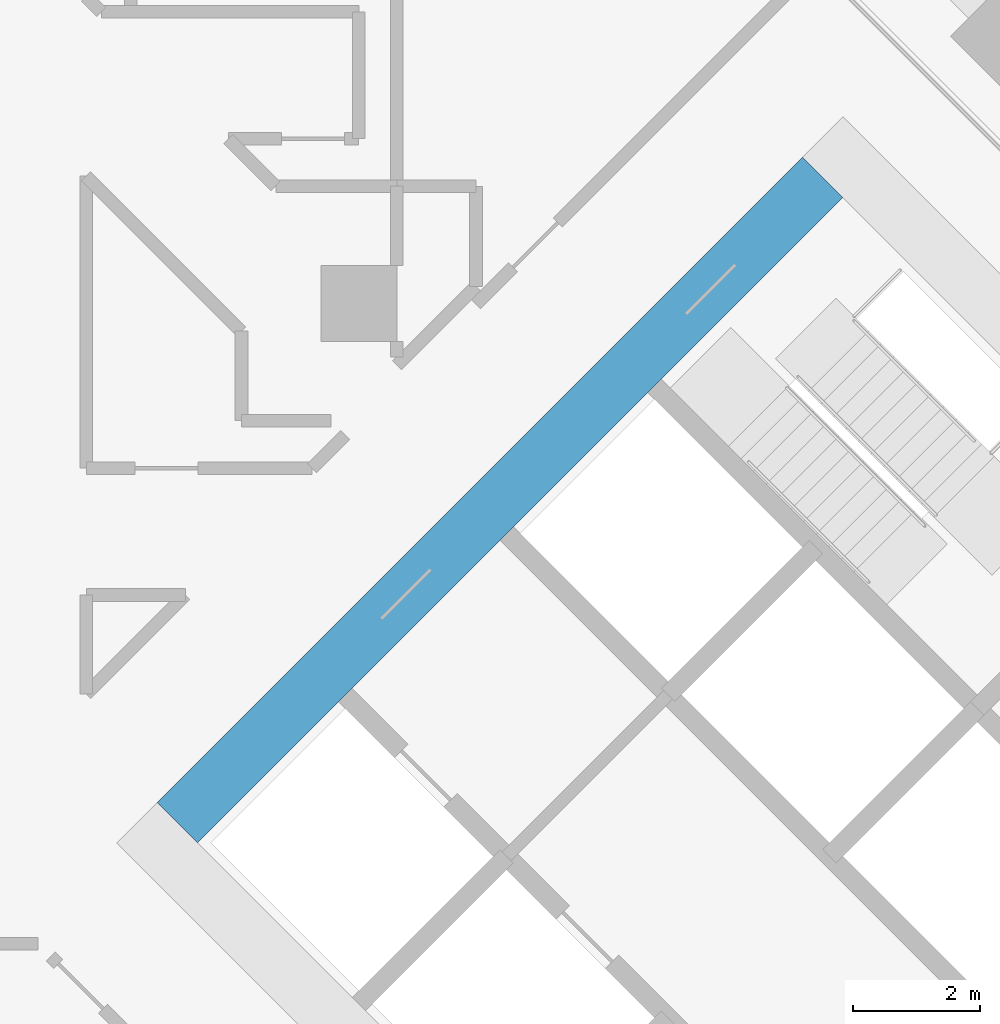
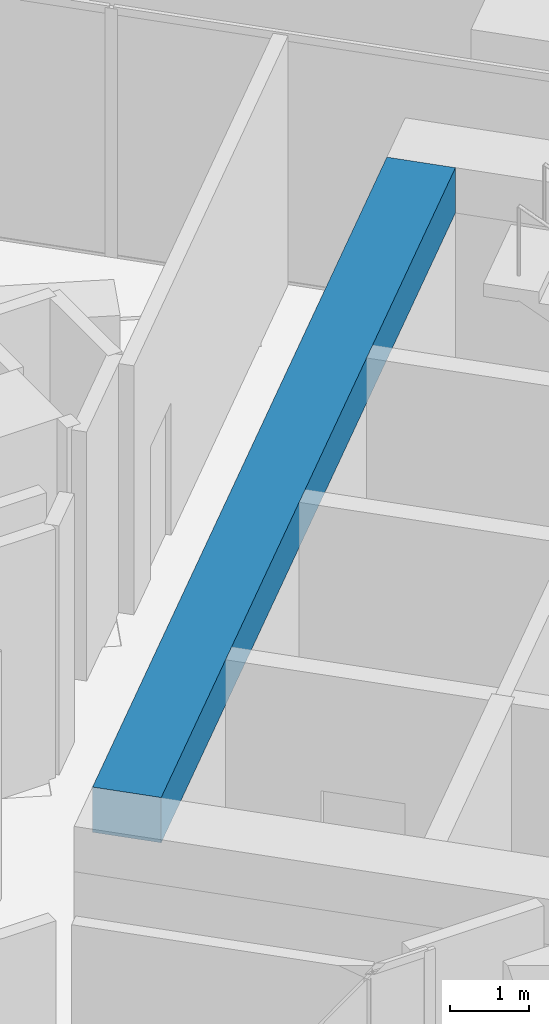
# One storey, part 7 of 24: 1 beam.
"""IFC4 building model written with IfcOpenShell, lengths in metres."""

import ifcopenshell
import ifcopenshell.guid

model = None  # the IFC model being written
_history = None  # IfcOwnerHistory: only IFC2X3 demands one
_inside = {}  # id of a spatial element -> (the spatial element, [elements in it])
_under = {}  # id of a project, library or spatial element -> (it, [spatial elements below it])
_declared = {}  # id of a project -> (the project, [libraries it declares])
_typed = {}  # id of a type object -> (the type object, [elements of that type])
_made_of = {}  # id of a material, layer set ... -> (it, [elements and type objects made of it])


def new_model(schema):
    """Start an empty IFC model of exactly this schema.

    Asked for "IFC4X3", IfcOpenShell would pick the latest addendum, in which some entities
    have other attributes; the version numbers below select the first issue.
    IFC2X3 requires an IfcOwnerHistory on every rooted entity: one is made here for all.
    """
    global model, _history
    if schema == "IFC4X3":
        model = ifcopenshell.file(schema_version=(4, 3, 0, 0))
    else:
        model = ifcopenshell.file(schema=schema)
    _inside.clear()
    _under.clear()
    _declared.clear()
    _typed.clear()
    _made_of.clear()
    _history = None
    if model.schema == "IFC2X3":
        org = make("IfcOrganization", Name="unknown")
        user = make(
            "IfcPersonAndOrganization",
            ThePerson=make("IfcPerson", FamilyName="unknown"),
            TheOrganization=org,
        )
        app = make(
            "IfcApplication",
            ApplicationDeveloper=org,
            Version="unknown",
            ApplicationFullName="unknown",
            ApplicationIdentifier="unknown",
        )
        _history = make(
            "IfcOwnerHistory",
            OwningUser=user,
            OwningApplication=app,
            ChangeAction="ADDED",
            CreationDate=0,
        )
    return model


def make(cls, **values):
    """One entity of the class cls with the attributes given. An attribute that is None is left unset."""
    return model.create_entity(
        cls, **{name: value for name, value in values.items() if value is not None}
    )


def rooted(cls, **values):
    """An entity with a GlobalId (a new one), such as an element, a storey or a relation."""
    return make(cls, GlobalId=ifcopenshell.guid.new(), OwnerHistory=_history, **values)


def si_unit(unit_type, name, prefix=None):
    """IfcSIUnit, for example si_unit("LENGTHUNIT", "METRE", prefix="MILLI")."""
    return make("IfcSIUnit", UnitType=unit_type, Prefix=prefix, Name=name)


def assignment(units):
    """IfcUnitAssignment: the units of a project."""
    return None if units is None else make("IfcUnitAssignment", Units=units)


def point(xyz):
    """IfcCartesianPoint."""
    return None if xyz is None else make("IfcCartesianPoint", Coordinates=xyz)


def direction(xyz):
    """IfcDirection."""
    return None if xyz is None else make("IfcDirection", DirectionRatios=xyz)


def frame(location, z_axis=None, x_axis=None):
    """IfcAxis2Placement3D, a coordinate frame: its origin and axes. An axis left out is left unset."""
    return make(
        "IfcAxis2Placement3D",
        Location=point(location),
        Axis=direction(z_axis),
        RefDirection=direction(x_axis),
    )


def frame_2d(location, x_axis=None):
    """IfcAxis2Placement2D, a coordinate frame in the plane: its origin and x axis."""
    return make(
        "IfcAxis2Placement2D", Location=point(location), RefDirection=direction(x_axis)
    )


def origin():
    """The frame at (0, 0, 0) with its axes left unset."""
    return frame((0.0, 0.0, 0.0))


def origin_2d():
    """The frame at (0, 0) in the plane with its x axis left unset."""
    return frame_2d((0.0, 0.0))


def place(relative_to, where):
    """IfcLocalPlacement: puts the frame where relative to a parent placement (None: the world)."""
    return make(
        "IfcLocalPlacement", PlacementRelTo=relative_to, RelativePlacement=where
    )


def context(
    kind, dimensions, precision=None, world=None, true_north=None, identifier=None
):
    """IfcGeometricRepresentationContext, for example the 3D "Model" context."""
    return make(
        "IfcGeometricRepresentationContext",
        ContextIdentifier=identifier,
        ContextType=kind,
        CoordinateSpaceDimension=dimensions,
        Precision=precision,
        WorldCoordinateSystem=world,
        TrueNorth=true_north,
    )


def subcontext(parent, identifier, kind, view, scale=None):
    """IfcGeometricRepresentationSubContext, for example "Body" below "Model"."""
    return make(
        "IfcGeometricRepresentationSubContext",
        ContextIdentifier=identifier,
        ContextType=kind,
        ParentContext=parent,
        TargetScale=scale,
        TargetView=view,
    )


def project(units=None, contexts=None):
    """IfcProject with its units and contexts."""
    return rooted(
        "IfcProject",
        Name="project",
        RepresentationContexts=contexts,
        UnitsInContext=assignment(units),
    )


def spatial(cls, under=None, at=None, **own):
    """A site, building, storey or space (cls), placed at a placement, below another one or the project."""
    s = rooted(cls, ObjectPlacement=at, **own)
    if under is not None:
        _under.setdefault(under.id(), (under, []))[1].append(s)
    return s


def profile(cls, at=None, kind="AREA", **sizes):
    """A parametric profile (cls). Its sizes go by their IFC names, for example OverallWidth=200.0."""
    return make(cls, ProfileType=kind, Position=at, **sizes)


def rectangle(**sizes):
    """IfcRectangleProfileDef."""
    return profile("IfcRectangleProfileDef", **sizes)


def extrude(swept, where, along, depth):
    """IfcExtrudedAreaSolid: the profile swept, set in the frame where, extruded along a direction by depth."""
    return make(
        "IfcExtrudedAreaSolid",
        SweptArea=swept,
        Position=where,
        ExtrudedDirection=direction(along),
        Depth=depth,
    )


def shape(context_of_items, identifier, shape_type, items):
    """IfcShapeRepresentation: the items that make up one representation, for example the "Body"."""
    return make(
        "IfcShapeRepresentation",
        ContextOfItems=context_of_items,
        RepresentationIdentifier=identifier,
        RepresentationType=shape_type,
        Items=items,
    )


def material(Name=None, Category=None):
    """IfcMaterial."""
    return make("IfcMaterial", Name=Name, Category=Category)


def material_profile(
    of_material, cross_section, Name=None, Category=None, Priority=None
):
    """IfcMaterialProfile: a cross section and its material."""
    return make(
        "IfcMaterialProfile",
        Name=Name,
        Material=of_material,
        Profile=cross_section,
        Priority=Priority,
        Category=Category,
    )


def profile_set(profiles, Name=None, composite=None):
    """IfcMaterialProfileSet."""
    return make(
        "IfcMaterialProfileSet",
        Name=Name,
        MaterialProfiles=profiles,
        CompositeProfile=composite,
    )


def made_of(thing, what):
    """Note that an element or type object is made of a material, layer set ...; save() writes the relation."""
    if what is not None:
        _made_of.setdefault(what.id(), (what, []))[1].append(thing)
    return thing


def type_object(cls, material=None, **own):
    """A type object (cls), such as IfcWallType, which elements share."""
    return made_of(rooted(cls, **own), material)


def element(
    cls,
    number,
    at=None,
    inside=None,
    cuts=None,
    type_object=None,
    material=None,
    context=None,
    identifier="Body",
    shape_type=None,
    held_by="IfcProductDefinitionShape",
    body=None,
    shapes=None,
    **own,
):
    """One element of the class cls, such as IfcWall. Its Tag is "e" and its number.

    at: its placement. inside: the storey or other place that contains it. cuts: it is an
    opening in that element (IfcRelVoidsElement). A single representation is given by context,
    identifier, shape_type and body (its items); several are given by shapes. held_by: the class
    of the entity that holds the representations. save() writes the other relations.
    """
    e = rooted(cls, Tag="e%d" % number, ObjectPlacement=at, **own)
    if body is not None:
        shapes = [shape(context, identifier, shape_type, body)]
    if shapes is not None:
        e.Representation = make(held_by, Representations=shapes)
    if inside is not None:
        _inside.setdefault(inside.id(), (inside, []))[1].append(e)
    if cuts is not None:
        rooted(
            "IfcRelVoidsElement", RelatingBuildingElement=cuts, RelatedOpeningElement=e
        )
    if type_object is not None:
        _typed.setdefault(type_object.id(), (type_object, []))[1].append(e)
    return made_of(e, material)


def aggregate(whole, parts):
    """IfcRelAggregates: a whole, such as a stair, and the parts it consists of."""
    return rooted("IfcRelAggregates", RelatingObject=whole, RelatedObjects=parts)


def save(model, path):
    """Write the relations noted so far, then the file.

    IfcRelAggregates (storeys below a building ...), IfcRelContainedInSpatialStructure (elements
    in a storey), IfcRelDefinesByType, IfcRelAssociatesMaterial and IfcRelDeclares: one each for
    every whole, place, type object, material and project.
    """
    for whole, parts in _under.values():
        aggregate(whole, parts)
    for where, things in _inside.values():
        rooted(
            "IfcRelContainedInSpatialStructure",
            RelatedElements=things,
            RelatingStructure=where,
        )
    for kind, things in _typed.values():
        rooted("IfcRelDefinesByType", RelatedObjects=things, RelatingType=kind)
    for what, things in _made_of.values():
        rooted("IfcRelAssociatesMaterial", RelatedObjects=things, RelatingMaterial=what)
    for by, libraries in _declared.values():
        rooted("IfcRelDeclares", RelatingContext=by, RelatedDefinitions=libraries)
    model.write(path)


model = new_model("IFC4")

# Units and contexts
model_context = context("Model", 3, precision=1e-05, world=origin(), true_north=direction((0.0, 1.0)))
body_context = subcontext(model_context, "Body", "Model", "MODEL_VIEW")
ifc_project = project(units=[si_unit("LENGTHUNIT", "METRE"), si_unit("AREAUNIT", "SQUARE_METRE"), si_unit("VOLUMEUNIT", "CUBIC_METRE"), si_unit("PLANEANGLEUNIT", "RADIAN"), si_unit("MASSUNIT", "GRAM", prefix="KILO")], contexts=[model_context])

# Site, building, storey
site_placement = place(None, origin())
site = spatial("IfcSite", under=ifc_project, at=site_placement, CompositionType="ELEMENT")
building_placement = place(site_placement, origin())
building = spatial("IfcBuilding", under=site, at=building_placement, Name="Windrow Commons", CompositionType="ELEMENT")
storey_placement = place(building_placement, frame((0.0, 0.0, 67.8)))
storey = spatial("IfcBuildingStorey", under=building, at=storey_placement, Name="L18", CompositionType="ELEMENT", Elevation=67.8)

# Beam
ifc_material = material(Name="Concrete C60/75", Category="concrete")
ifc_material_profile = material_profile(ifc_material, rectangle(XDim=0.9, YDim=0.7, at=origin_2d()))
ifc_profile_set = profile_set([ifc_material_profile], Name="Concrete C60/75")
beam_type = type_object("IfcBeamType", Name="RC COUPLING BEAM 900x700 C60/75", PredefinedType="LINTEL", material=ifc_profile_set)
beam_placement = place(storey_placement, frame((76.3362, 49.4079, 3.55), z_axis=(0.7071067812, 0.7071067812, 0.0), x_axis=(-0.7071067812, 0.7071067812, 0.0)))
element("IfcBeam", 1, at=beam_placement, inside=storey, type_object=beam_type, Name="Core B coupling beam outer-W", PredefinedType="LINTEL", context=body_context, shape_type="SweptSolid", body=[
    extrude(rectangle(XDim=0.9, YDim=0.7, at=origin_2d()), origin(), (0.0, 0.0, 1.0), 14.4001),
])

save(model, "model.ifc")
